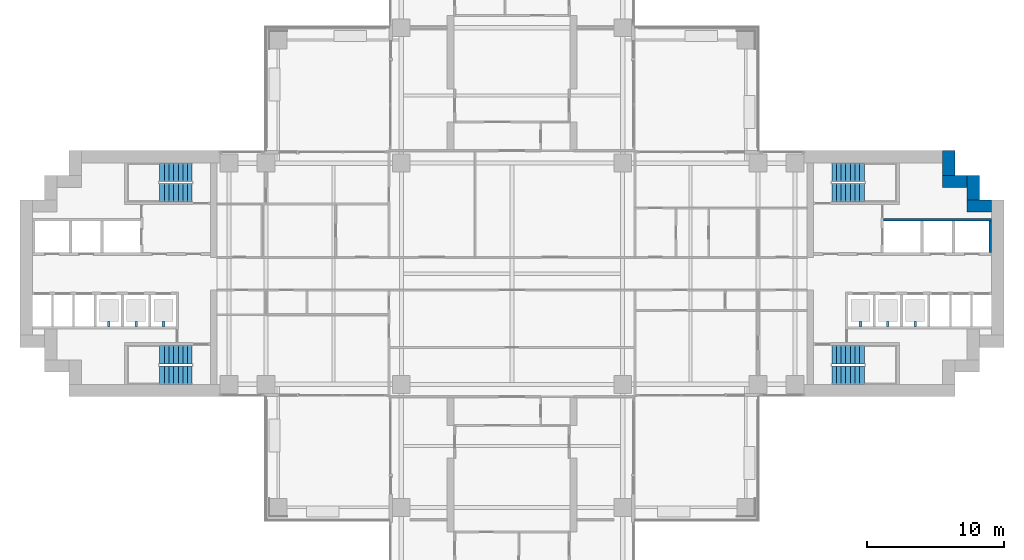
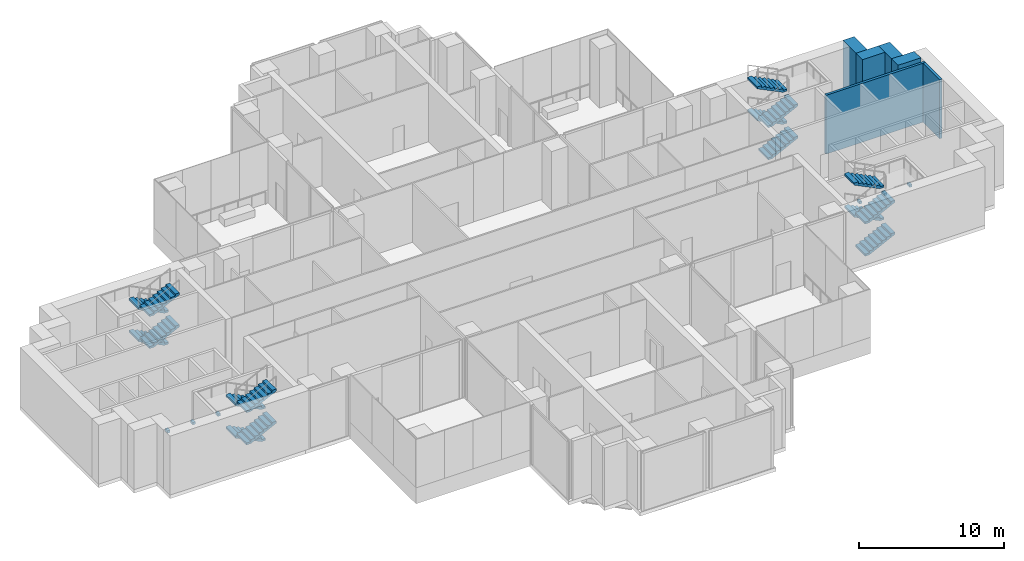
# One storey, part 12 of 17: 16 stair flights, 6 discrete accessories, 6 walls, 4 elements without a shape of their own.
"""IFC4 building model written with IfcOpenShell, lengths in metres."""

from ifc_helpers import new_model, si_unit, direction, frame, frame_2d, origin, origin_2d, place, context, subcontext, project, spatial, polyline, rectangle, outline, extrude, material, layer, layer_set, type_object, element, aggregate, save


model = new_model("IFC4")

# Units and contexts
model_context = context("Model", 3, precision=1e-05, world=origin(), true_north=direction((0.0, 1.0)))
body_context = subcontext(model_context, "Body", "Model", "MODEL_VIEW")
ifc_project = project(units=[si_unit("LENGTHUNIT", "METRE"), si_unit("AREAUNIT", "SQUARE_METRE"), si_unit("VOLUMEUNIT", "CUBIC_METRE"), si_unit("PLANEANGLEUNIT", "RADIAN"), si_unit("MASSUNIT", "GRAM", prefix="KILO")], contexts=[model_context])

# Site, building, storey
site_placement = place(None, origin())
site = spatial("IfcSite", under=ifc_project, at=site_placement, CompositionType="ELEMENT")
building_placement = place(site_placement, origin())
building = spatial("IfcBuilding", under=site, at=building_placement, Name="Perihelion Cross Residences", CompositionType="ELEMENT")
storey_placement = place(building_placement, frame((0.0, 0.0, 92.5)))
storey = spatial("IfcBuildingStorey", under=building, at=storey_placement, Name="L21", CompositionType="ELEMENT", Elevation=92.5)

# Walls
ifc_material_1 = material(Name="Concrete C60/75", Category="concrete")
ifc_layer_1 = layer(ifc_material_1, 0.89990234375)
ifc_layer_set_1 = layer_set([ifc_layer_1], Name="Core wall, outer 900")
wall_type_1 = type_object("IfcWallType", Name="Core wall, outer 900", PredefinedType="SHEAR", material=ifc_layer_set_1)
for number, where, z_axis, x_axis, name in (
    (1, (33.300048828125, 4.949951171875, 0.0), (0.0, 0.0, 1.0), (1.0, 0.0, 0.0), "East core core wall, outer"),
    (2, (33.75, 5.39990234375, 0.0), (0.0, 0.0, 1.0), (0.0, 1.0, 0.0), "East core core wall, outer"),
    (3, (31.5, 6.75, 0.0), (0.0, 0.0, 1.0), (1.0, 0.0, 0.0), "East core core wall, outer"),
    (4, (31.949951171875, 7.199951171875, 0.0), (0.0, 0.0, 1.0), (0.0, 1.0, 0.0), "East core core wall, outer"),
):
    element("IfcWall", number, at=place(storey_placement, frame(where, z_axis=z_axis, x_axis=x_axis)), inside=storey, type_object=wall_type_1, Name=name, PredefinedType="SHEAR", context=body_context, shape_type="SweptSolid", body=[
        extrude(rectangle(XDim=1.800048828125, YDim=0.89990234375, at=frame_2d((0.89990234375, 0.0))), origin(), (0.0, 0.0, 1.0), 4.949951171875),
    ])
ifc_material_2 = material(Name="Concrete C50/60", Category="concrete")
ifc_layer_2 = layer(ifc_material_2, 0.199951171875)
ifc_layer_set_2 = layer_set([ifc_layer_2], Name="Shaft wall 200")
wall_type_2 = type_object("IfcWallType", Name="Shaft wall 200", PredefinedType="SOLIDWALL", material=ifc_layer_set_2)
wall_1_placement = place(storey_placement, frame((27.199951171875, 3.949951171875, 0.0), z_axis=(0.0, 0.0, 1.0), x_axis=(1.0, 0.0, 0.0)))
element("IfcWall", 5, at=wall_1_placement, inside=storey, type_object=wall_type_2, Name="East core shaft wall", PredefinedType="SOLIDWALL", context=body_context, shape_type="SweptSolid", body=[
    extrude(rectangle(XDim=7.900146484375, YDim=0.199951171875, at=frame_2d((3.9501953125, 0.0))), origin(), (0.0, 0.0, 1.0), 4.949951171875),
])
wall_2_placement = place(storey_placement, frame((35.0, 1.550048828125, 0.0), z_axis=(0.0, 0.0, 1.0), x_axis=(0.0, 1.0, 0.0)))
element("IfcWall", 6, at=wall_2_placement, inside=storey, type_object=wall_type_2, Name="East core shaft wall", PredefinedType="SOLIDWALL", context=body_context, shape_type="SweptSolid", body=[
    extrude(rectangle(XDim=2.300048828125, YDim=0.199951171875, at=frame_2d((1.14990234375, 0.0))), origin(), (0.0, 0.0, 1.0), 4.949951171875),
])

# Stair, stair flights
ifc_material_3 = material(Name="Concrete C40/50", Category="concrete")
stair_type = type_object("IfcStairType", Name="Exit stair, half-turn", PredefinedType="HALF_TURN_STAIR", material=ifc_material_3)
stair_1_placement = place(storey_placement, origin())
stair_1 = element("IfcStair", 7, at=stair_1_placement, inside=storey, type_object=stair_type, Name="L21 East core exit stair 1", PredefinedType="HALF_TURN_STAIR")
ifc_material_4 = material(Name="Concrete C40/50", Category="concrete")
stair_flight_type = type_object("IfcStairFlightType", Name="Exit stair flight", PredefinedType="STRAIGHT", material=ifc_material_4)
stair_flight_1_placement = place(storey_placement, frame((23.39990234375, 5.925048828125, 0.0), z_axis=(0.0, 0.0, 1.0), x_axis=(1.0, 0.0, 0.0)))
stair_flight_1 = element("IfcStairFlight", 8, at=stair_flight_1_placement, type_object=stair_flight_type, Name="ST-E1 flight 1", NumberOfRisers=8, NumberOfTreads=7, PredefinedType="STRAIGHT", RiserHeight=0.16875, TreadLength=0.34, context=body_context, shape_type="SweptSolid", body=[
    extrude(outline(polyline([(0.0, 0.0), (0.0, 0.168701171875), (0.340087890625, 0.168701171875), (0.340087890625, 0.33740234375), (0.679931640625, 0.33740234375), (0.679931640625, 0.50634765625), (1.02001953125, 0.50634765625), (1.02001953125, 0.675048828125), (1.360107421875, 0.675048828125), (1.360107421875, 0.84375), (1.699951171875, 0.84375), (1.699951171875, 1.012451171875), (2.0400390625, 1.012451171875), (2.0400390625, 1.18115234375), (2.3798828125, 1.18115234375), (2.3798828125, 1.35009765625), (2.3798828125, 1.013916015625), (0.337158203125, 0.0), (0.0, 0.0)])), frame((0.0, 0.675048828125, 0.0), z_axis=(0.0, -1.0, 0.0), x_axis=(1.0, 0.0, 0.0)), (0.0, 0.0, 1.0), 1.35009765625),
])
stair_flight_2_placement = place(storey_placement, frame((25.780029296875, 7.425048828125, 1.35009765625), z_axis=(0.0, 0.0, 1.0), x_axis=(-1.0, 0.0, 0.0)))
stair_flight_2 = element("IfcStairFlight", 9, at=stair_flight_2_placement, type_object=stair_flight_type, Name="ST-E1 flight 2", NumberOfRisers=8, NumberOfTreads=7, PredefinedType="STRAIGHT", RiserHeight=0.16875, TreadLength=0.34, context=body_context, shape_type="SweptSolid", body=[
    extrude(outline(polyline([(0.0, 0.0), (0.0, 0.168701171875), (0.340087890625, 0.168701171875), (0.340087890625, 0.33740234375), (0.679931640625, 0.33740234375), (0.679931640625, 0.50634765625), (1.02001953125, 0.50634765625), (1.02001953125, 0.675048828125), (1.360107421875, 0.675048828125), (1.360107421875, 0.84375), (1.699951171875, 0.84375), (1.699951171875, 1.012451171875), (2.0400390625, 1.012451171875), (2.0400390625, 1.18115234375), (2.3798828125, 1.18115234375), (2.3798828125, 1.35009765625), (2.3798828125, 1.013916015625), (0.337158203125, 0.0), (0.0, 0.0)])), frame((0.0, 0.675048828125, 0.0), z_axis=(0.0, -1.0, 0.0), x_axis=(1.0, 0.0, 0.0)), (0.0, 0.0, 1.0), 1.35009765625),
])
stair_flight_3_placement = place(storey_placement, frame((23.39990234375, 5.925048828125, 2.699951171875), z_axis=(0.0, 0.0, 1.0), x_axis=(1.0, 0.0, 0.0)))
stair_flight_3 = element("IfcStairFlight", 10, at=stair_flight_3_placement, type_object=stair_flight_type, Name="ST-E1 flight 3", NumberOfRisers=8, NumberOfTreads=7, PredefinedType="STRAIGHT", RiserHeight=0.16875, TreadLength=0.34, context=body_context, shape_type="SweptSolid", body=[
    extrude(outline(polyline([(0.0, 0.0), (0.0, 0.168701171875), (0.340087890625, 0.168701171875), (0.340087890625, 0.33740234375), (0.679931640625, 0.33740234375), (0.679931640625, 0.50634765625), (1.02001953125, 0.50634765625), (1.02001953125, 0.675048828125), (1.360107421875, 0.675048828125), (1.360107421875, 0.84375), (1.699951171875, 0.84375), (1.699951171875, 1.012451171875), (2.0400390625, 1.012451171875), (2.0400390625, 1.18115234375), (2.3798828125, 1.18115234375), (2.3798828125, 1.35009765625), (2.3798828125, 1.013916015625), (0.337158203125, 0.0), (0.0, 0.0)])), frame((0.0, 0.675048828125, 0.0), z_axis=(0.0, -1.0, 0.0), x_axis=(1.0, 0.0, 0.0)), (0.0, 0.0, 1.0), 1.35009765625),
])
stair_flight_4_placement = place(storey_placement, frame((25.780029296875, 7.425048828125, 4.050048828125), z_axis=(0.0, 0.0, 1.0), x_axis=(-1.0, 0.0, 0.0)))
stair_flight_4 = element("IfcStairFlight", 11, at=stair_flight_4_placement, type_object=stair_flight_type, Name="ST-E1 flight 4", NumberOfRisers=8, NumberOfTreads=7, PredefinedType="STRAIGHT", RiserHeight=0.16875, TreadLength=0.34, context=body_context, shape_type="SweptSolid", body=[
    extrude(outline(polyline([(0.0, 0.0), (0.0, 0.168701171875), (0.340087890625, 0.168701171875), (0.340087890625, 0.33740234375), (0.679931640625, 0.33740234375), (0.679931640625, 0.50634765625), (1.02001953125, 0.50634765625), (1.02001953125, 0.675048828125), (1.360107421875, 0.675048828125), (1.360107421875, 0.84375), (1.699951171875, 0.84375), (1.699951171875, 1.012451171875), (2.0400390625, 1.012451171875), (2.0400390625, 1.18115234375), (2.3798828125, 1.18115234375), (2.3798828125, 1.35009765625), (2.3798828125, 1.013916015625), (0.337158203125, 0.0), (0.0, 0.0)])), frame((0.0, 0.675048828125, 0.0), z_axis=(0.0, -1.0, 0.0), x_axis=(1.0, 0.0, 0.0)), (0.0, 0.0, 1.0), 1.35009765625),
])
aggregate(stair_1, [stair_flight_1, stair_flight_2, stair_flight_3, stair_flight_4])

stair_2_placement = place(storey_placement, origin())
stair_2 = element("IfcStair", 12, at=stair_2_placement, inside=storey, type_object=stair_type, Name="L21 East core exit stair 2", PredefinedType="HALF_TURN_STAIR")
stair_flight_5_placement = place(storey_placement, frame((23.39990234375, -7.425048828125, 0.0), z_axis=(0.0, 0.0, 1.0), x_axis=(1.0, 0.0, 0.0)))
stair_flight_5 = element("IfcStairFlight", 13, at=stair_flight_5_placement, type_object=stair_flight_type, Name="ST-E2 flight 1", NumberOfRisers=8, NumberOfTreads=7, PredefinedType="STRAIGHT", RiserHeight=0.16875, TreadLength=0.34, context=body_context, shape_type="SweptSolid", body=[
    extrude(outline(polyline([(0.0, 0.0), (0.0, 0.168701171875), (0.340087890625, 0.168701171875), (0.340087890625, 0.33740234375), (0.679931640625, 0.33740234375), (0.679931640625, 0.50634765625), (1.02001953125, 0.50634765625), (1.02001953125, 0.675048828125), (1.360107421875, 0.675048828125), (1.360107421875, 0.84375), (1.699951171875, 0.84375), (1.699951171875, 1.012451171875), (2.0400390625, 1.012451171875), (2.0400390625, 1.18115234375), (2.3798828125, 1.18115234375), (2.3798828125, 1.35009765625), (2.3798828125, 1.013916015625), (0.337158203125, 0.0), (0.0, 0.0)])), frame((0.0, 0.675048828125, 0.0), z_axis=(0.0, -1.0, 0.0), x_axis=(1.0, 0.0, 0.0)), (0.0, 0.0, 1.0), 1.35009765625),
])
stair_flight_6_placement = place(storey_placement, frame((25.780029296875, -5.925048828125, 1.35009765625), z_axis=(0.0, 0.0, 1.0), x_axis=(-1.0, 0.0, 0.0)))
stair_flight_6 = element("IfcStairFlight", 14, at=stair_flight_6_placement, type_object=stair_flight_type, Name="ST-E2 flight 2", NumberOfRisers=8, NumberOfTreads=7, PredefinedType="STRAIGHT", RiserHeight=0.16875, TreadLength=0.34, context=body_context, shape_type="SweptSolid", body=[
    extrude(outline(polyline([(0.0, 0.0), (0.0, 0.168701171875), (0.340087890625, 0.168701171875), (0.340087890625, 0.33740234375), (0.679931640625, 0.33740234375), (0.679931640625, 0.50634765625), (1.02001953125, 0.50634765625), (1.02001953125, 0.675048828125), (1.360107421875, 0.675048828125), (1.360107421875, 0.84375), (1.699951171875, 0.84375), (1.699951171875, 1.012451171875), (2.0400390625, 1.012451171875), (2.0400390625, 1.18115234375), (2.3798828125, 1.18115234375), (2.3798828125, 1.35009765625), (2.3798828125, 1.013916015625), (0.337158203125, 0.0), (0.0, 0.0)])), frame((0.0, 0.675048828125, 0.0), z_axis=(0.0, -1.0, 0.0), x_axis=(1.0, 0.0, 0.0)), (0.0, 0.0, 1.0), 1.35009765625),
])
stair_flight_7_placement = place(storey_placement, frame((23.39990234375, -7.425048828125, 2.699951171875), z_axis=(0.0, 0.0, 1.0), x_axis=(1.0, 0.0, 0.0)))
stair_flight_7 = element("IfcStairFlight", 15, at=stair_flight_7_placement, type_object=stair_flight_type, Name="ST-E2 flight 3", NumberOfRisers=8, NumberOfTreads=7, PredefinedType="STRAIGHT", RiserHeight=0.16875, TreadLength=0.34, context=body_context, shape_type="SweptSolid", body=[
    extrude(outline(polyline([(0.0, 0.0), (0.0, 0.168701171875), (0.340087890625, 0.168701171875), (0.340087890625, 0.33740234375), (0.679931640625, 0.33740234375), (0.679931640625, 0.50634765625), (1.02001953125, 0.50634765625), (1.02001953125, 0.675048828125), (1.360107421875, 0.675048828125), (1.360107421875, 0.84375), (1.699951171875, 0.84375), (1.699951171875, 1.012451171875), (2.0400390625, 1.012451171875), (2.0400390625, 1.18115234375), (2.3798828125, 1.18115234375), (2.3798828125, 1.35009765625), (2.3798828125, 1.013916015625), (0.337158203125, 0.0), (0.0, 0.0)])), frame((0.0, 0.675048828125, 0.0), z_axis=(0.0, -1.0, 0.0), x_axis=(1.0, 0.0, 0.0)), (0.0, 0.0, 1.0), 1.35009765625),
])
stair_flight_8_placement = place(storey_placement, frame((25.780029296875, -5.925048828125, 4.050048828125), z_axis=(0.0, 0.0, 1.0), x_axis=(-1.0, 0.0, 0.0)))
stair_flight_8 = element("IfcStairFlight", 16, at=stair_flight_8_placement, type_object=stair_flight_type, Name="ST-E2 flight 4", NumberOfRisers=8, NumberOfTreads=7, PredefinedType="STRAIGHT", RiserHeight=0.16875, TreadLength=0.34, context=body_context, shape_type="SweptSolid", body=[
    extrude(outline(polyline([(0.0, 0.0), (0.0, 0.168701171875), (0.340087890625, 0.168701171875), (0.340087890625, 0.33740234375), (0.679931640625, 0.33740234375), (0.679931640625, 0.50634765625), (1.02001953125, 0.50634765625), (1.02001953125, 0.675048828125), (1.360107421875, 0.675048828125), (1.360107421875, 0.84375), (1.699951171875, 0.84375), (1.699951171875, 1.012451171875), (2.0400390625, 1.012451171875), (2.0400390625, 1.18115234375), (2.3798828125, 1.18115234375), (2.3798828125, 1.35009765625), (2.3798828125, 1.013916015625), (0.337158203125, 0.0), (0.0, 0.0)])), frame((0.0, 0.675048828125, 0.0), z_axis=(0.0, -1.0, 0.0), x_axis=(1.0, 0.0, 0.0)), (0.0, 0.0, 1.0), 1.35009765625),
])
aggregate(stair_2, [stair_flight_5, stair_flight_6, stair_flight_7, stair_flight_8])

stair_3_placement = place(storey_placement, origin())
stair_3 = element("IfcStair", 17, at=stair_3_placement, inside=storey, type_object=stair_type, Name="L21 West core exit stair 1", PredefinedType="HALF_TURN_STAIR")
stair_flight_9_placement = place(storey_placement, frame((-23.39990234375, 7.425048828125, 0.0), z_axis=(0.0, 0.0, 1.0), x_axis=(-1.0, 0.0, 0.0)))
stair_flight_9 = element("IfcStairFlight", 18, at=stair_flight_9_placement, type_object=stair_flight_type, Name="ST-W1 flight 1", NumberOfRisers=8, NumberOfTreads=7, PredefinedType="STRAIGHT", RiserHeight=0.16875, TreadLength=0.34, context=body_context, shape_type="SweptSolid", body=[
    extrude(outline(polyline([(0.0, 0.0), (0.0, 0.168701171875), (0.340087890625, 0.168701171875), (0.340087890625, 0.33740234375), (0.679931640625, 0.33740234375), (0.679931640625, 0.50634765625), (1.02001953125, 0.50634765625), (1.02001953125, 0.675048828125), (1.360107421875, 0.675048828125), (1.360107421875, 0.84375), (1.699951171875, 0.84375), (1.699951171875, 1.012451171875), (2.0400390625, 1.012451171875), (2.0400390625, 1.18115234375), (2.3798828125, 1.18115234375), (2.3798828125, 1.35009765625), (2.3798828125, 1.013916015625), (0.337158203125, 0.0), (0.0, 0.0)])), frame((0.0, 0.675048828125, 0.0), z_axis=(0.0, -1.0, 0.0), x_axis=(1.0, 0.0, 0.0)), (0.0, 0.0, 1.0), 1.35009765625),
])
stair_flight_10_placement = place(storey_placement, frame((-25.780029296875, 5.925048828125, 1.35009765625), z_axis=(0.0, 0.0, 1.0), x_axis=(1.0, 0.0, 0.0)))
stair_flight_10 = element("IfcStairFlight", 19, at=stair_flight_10_placement, type_object=stair_flight_type, Name="ST-W1 flight 2", NumberOfRisers=8, NumberOfTreads=7, PredefinedType="STRAIGHT", RiserHeight=0.16875, TreadLength=0.34, context=body_context, shape_type="SweptSolid", body=[
    extrude(outline(polyline([(0.0, 0.0), (0.0, 0.168701171875), (0.340087890625, 0.168701171875), (0.340087890625, 0.33740234375), (0.679931640625, 0.33740234375), (0.679931640625, 0.50634765625), (1.02001953125, 0.50634765625), (1.02001953125, 0.675048828125), (1.360107421875, 0.675048828125), (1.360107421875, 0.84375), (1.699951171875, 0.84375), (1.699951171875, 1.012451171875), (2.0400390625, 1.012451171875), (2.0400390625, 1.18115234375), (2.3798828125, 1.18115234375), (2.3798828125, 1.35009765625), (2.3798828125, 1.013916015625), (0.337158203125, 0.0), (0.0, 0.0)])), frame((0.0, 0.675048828125, 0.0), z_axis=(0.0, -1.0, 0.0), x_axis=(1.0, 0.0, 0.0)), (0.0, 0.0, 1.0), 1.35009765625),
])
stair_flight_11_placement = place(storey_placement, frame((-23.39990234375, 7.425048828125, 2.699951171875), z_axis=(0.0, 0.0, 1.0), x_axis=(-1.0, 0.0, 0.0)))
stair_flight_11 = element("IfcStairFlight", 20, at=stair_flight_11_placement, type_object=stair_flight_type, Name="ST-W1 flight 3", NumberOfRisers=8, NumberOfTreads=7, PredefinedType="STRAIGHT", RiserHeight=0.16875, TreadLength=0.34, context=body_context, shape_type="SweptSolid", body=[
    extrude(outline(polyline([(0.0, 0.0), (0.0, 0.168701171875), (0.340087890625, 0.168701171875), (0.340087890625, 0.33740234375), (0.679931640625, 0.33740234375), (0.679931640625, 0.50634765625), (1.02001953125, 0.50634765625), (1.02001953125, 0.675048828125), (1.360107421875, 0.675048828125), (1.360107421875, 0.84375), (1.699951171875, 0.84375), (1.699951171875, 1.012451171875), (2.0400390625, 1.012451171875), (2.0400390625, 1.18115234375), (2.3798828125, 1.18115234375), (2.3798828125, 1.35009765625), (2.3798828125, 1.013916015625), (0.337158203125, 0.0), (0.0, 0.0)])), frame((0.0, 0.675048828125, 0.0), z_axis=(0.0, -1.0, 0.0), x_axis=(1.0, 0.0, 0.0)), (0.0, 0.0, 1.0), 1.35009765625),
])
stair_flight_12_placement = place(storey_placement, frame((-25.780029296875, 5.925048828125, 4.050048828125), z_axis=(0.0, 0.0, 1.0), x_axis=(1.0, 0.0, 0.0)))
stair_flight_12 = element("IfcStairFlight", 21, at=stair_flight_12_placement, type_object=stair_flight_type, Name="ST-W1 flight 4", NumberOfRisers=8, NumberOfTreads=7, PredefinedType="STRAIGHT", RiserHeight=0.16875, TreadLength=0.34, context=body_context, shape_type="SweptSolid", body=[
    extrude(outline(polyline([(0.0, 0.0), (0.0, 0.168701171875), (0.340087890625, 0.168701171875), (0.340087890625, 0.33740234375), (0.679931640625, 0.33740234375), (0.679931640625, 0.50634765625), (1.02001953125, 0.50634765625), (1.02001953125, 0.675048828125), (1.360107421875, 0.675048828125), (1.360107421875, 0.84375), (1.699951171875, 0.84375), (1.699951171875, 1.012451171875), (2.0400390625, 1.012451171875), (2.0400390625, 1.18115234375), (2.3798828125, 1.18115234375), (2.3798828125, 1.35009765625), (2.3798828125, 1.013916015625), (0.337158203125, 0.0), (0.0, 0.0)])), frame((0.0, 0.675048828125, 0.0), z_axis=(0.0, -1.0, 0.0), x_axis=(1.0, 0.0, 0.0)), (0.0, 0.0, 1.0), 1.35009765625),
])
aggregate(stair_3, [stair_flight_9, stair_flight_10, stair_flight_11, stair_flight_12])

stair_4_placement = place(storey_placement, origin())
stair_4 = element("IfcStair", 22, at=stair_4_placement, inside=storey, type_object=stair_type, Name="L21 West core exit stair 2", PredefinedType="HALF_TURN_STAIR")
stair_flight_13_placement = place(storey_placement, frame((-23.39990234375, -5.925048828125, 0.0), z_axis=(0.0, 0.0, 1.0), x_axis=(-1.0, 0.0, 0.0)))
stair_flight_13 = element("IfcStairFlight", 23, at=stair_flight_13_placement, type_object=stair_flight_type, Name="ST-W2 flight 1", NumberOfRisers=8, NumberOfTreads=7, PredefinedType="STRAIGHT", RiserHeight=0.16875, TreadLength=0.34, context=body_context, shape_type="SweptSolid", body=[
    extrude(outline(polyline([(0.0, 0.0), (0.0, 0.168701171875), (0.340087890625, 0.168701171875), (0.340087890625, 0.33740234375), (0.679931640625, 0.33740234375), (0.679931640625, 0.50634765625), (1.02001953125, 0.50634765625), (1.02001953125, 0.675048828125), (1.360107421875, 0.675048828125), (1.360107421875, 0.84375), (1.699951171875, 0.84375), (1.699951171875, 1.012451171875), (2.0400390625, 1.012451171875), (2.0400390625, 1.18115234375), (2.3798828125, 1.18115234375), (2.3798828125, 1.35009765625), (2.3798828125, 1.013916015625), (0.337158203125, 0.0), (0.0, 0.0)])), frame((0.0, 0.675048828125, 0.0), z_axis=(0.0, -1.0, 0.0), x_axis=(1.0, 0.0, 0.0)), (0.0, 0.0, 1.0), 1.35009765625),
])
stair_flight_14_placement = place(storey_placement, frame((-25.780029296875, -7.425048828125, 1.35009765625), z_axis=(0.0, 0.0, 1.0), x_axis=(1.0, 0.0, 0.0)))
stair_flight_14 = element("IfcStairFlight", 24, at=stair_flight_14_placement, type_object=stair_flight_type, Name="ST-W2 flight 2", NumberOfRisers=8, NumberOfTreads=7, PredefinedType="STRAIGHT", RiserHeight=0.16875, TreadLength=0.34, context=body_context, shape_type="SweptSolid", body=[
    extrude(outline(polyline([(0.0, 0.0), (0.0, 0.168701171875), (0.340087890625, 0.168701171875), (0.340087890625, 0.33740234375), (0.679931640625, 0.33740234375), (0.679931640625, 0.50634765625), (1.02001953125, 0.50634765625), (1.02001953125, 0.675048828125), (1.360107421875, 0.675048828125), (1.360107421875, 0.84375), (1.699951171875, 0.84375), (1.699951171875, 1.012451171875), (2.0400390625, 1.012451171875), (2.0400390625, 1.18115234375), (2.3798828125, 1.18115234375), (2.3798828125, 1.35009765625), (2.3798828125, 1.013916015625), (0.337158203125, 0.0), (0.0, 0.0)])), frame((0.0, 0.675048828125, 0.0), z_axis=(0.0, -1.0, 0.0), x_axis=(1.0, 0.0, 0.0)), (0.0, 0.0, 1.0), 1.35009765625),
])
stair_flight_15_placement = place(storey_placement, frame((-23.39990234375, -5.925048828125, 2.699951171875), z_axis=(0.0, 0.0, 1.0), x_axis=(-1.0, 0.0, 0.0)))
stair_flight_15 = element("IfcStairFlight", 25, at=stair_flight_15_placement, type_object=stair_flight_type, Name="ST-W2 flight 3", NumberOfRisers=8, NumberOfTreads=7, PredefinedType="STRAIGHT", RiserHeight=0.16875, TreadLength=0.34, context=body_context, shape_type="SweptSolid", body=[
    extrude(outline(polyline([(0.0, 0.0), (0.0, 0.168701171875), (0.340087890625, 0.168701171875), (0.340087890625, 0.33740234375), (0.679931640625, 0.33740234375), (0.679931640625, 0.50634765625), (1.02001953125, 0.50634765625), (1.02001953125, 0.675048828125), (1.360107421875, 0.675048828125), (1.360107421875, 0.84375), (1.699951171875, 0.84375), (1.699951171875, 1.012451171875), (2.0400390625, 1.012451171875), (2.0400390625, 1.18115234375), (2.3798828125, 1.18115234375), (2.3798828125, 1.35009765625), (2.3798828125, 1.013916015625), (0.337158203125, 0.0), (0.0, 0.0)])), frame((0.0, 0.675048828125, 0.0), z_axis=(0.0, -1.0, 0.0), x_axis=(1.0, 0.0, 0.0)), (0.0, 0.0, 1.0), 1.35009765625),
])
stair_flight_16_placement = place(storey_placement, frame((-25.780029296875, -7.425048828125, 4.050048828125), z_axis=(0.0, 0.0, 1.0), x_axis=(1.0, 0.0, 0.0)))
stair_flight_16 = element("IfcStairFlight", 26, at=stair_flight_16_placement, type_object=stair_flight_type, Name="ST-W2 flight 4", NumberOfRisers=8, NumberOfTreads=7, PredefinedType="STRAIGHT", RiserHeight=0.16875, TreadLength=0.34, context=body_context, shape_type="SweptSolid", body=[
    extrude(outline(polyline([(0.0, 0.0), (0.0, 0.168701171875), (0.340087890625, 0.168701171875), (0.340087890625, 0.33740234375), (0.679931640625, 0.33740234375), (0.679931640625, 0.50634765625), (1.02001953125, 0.50634765625), (1.02001953125, 0.675048828125), (1.360107421875, 0.675048828125), (1.360107421875, 0.84375), (1.699951171875, 0.84375), (1.699951171875, 1.012451171875), (2.0400390625, 1.012451171875), (2.0400390625, 1.18115234375), (2.3798828125, 1.18115234375), (2.3798828125, 1.35009765625), (2.3798828125, 1.013916015625), (0.337158203125, 0.0), (0.0, 0.0)])), frame((0.0, 0.675048828125, 0.0), z_axis=(0.0, -1.0, 0.0), x_axis=(1.0, 0.0, 0.0)), (0.0, 0.0, 1.0), 1.35009765625),
])
aggregate(stair_4, [stair_flight_13, stair_flight_14, stair_flight_15, stair_flight_16])

# Discrete accessories
ifc_material_5 = material(Name="Steel, powder coated", Category="steel")
discrete_accessory_type = type_object("IfcDiscreteAccessoryType", Name="Lift guide bracket", PredefinedType="BRACKET", material=ifc_material_5)
for number, where, z_axis, x_axis, name in (
    (27, (25.5, -3.675048828125, 1.10009765625), (0.0, 0.0, 1.0), (1.0, 0.0, 0.0), "East core hp1 guide bracket"),
    (28, (27.5, -3.675048828125, 1.10009765625), (0.0, 0.0, 1.0), (1.0, 0.0, 0.0), "East core hp2 guide bracket"),
    (29, (29.5, -3.675048828125, 1.10009765625), (0.0, 0.0, 1.0), (1.0, 0.0, 0.0), "East core hp3 guide bracket"),
    (30, (-25.5, -3.675048828125, 1.10009765625), (0.0, 0.0, 1.0), (1.0, 0.0, 0.0), "West core hp1 guide bracket"),
    (31, (-27.5, -3.675048828125, 1.10009765625), (0.0, 0.0, 1.0), (1.0, 0.0, 0.0), "West core hp2 guide bracket"),
    (32, (-29.5, -3.675048828125, 1.10009765625), (0.0, 0.0, 1.0), (1.0, 0.0, 0.0), "West core hp3 guide bracket"),
):
    element("IfcDiscreteAccessory", number, at=place(storey_placement, frame(where, z_axis=z_axis, x_axis=x_axis)), inside=storey, type_object=discrete_accessory_type, Name=name, PredefinedType="BRACKET", context=body_context, shape_type="SweptSolid", body=[
        extrude(rectangle(XDim=0.199951171875, YDim=0.35009765625, at=origin_2d()), origin(), (0.0, 0.0, 1.0), 0.199951171875),
    ])

save(model, "model.ifc")
